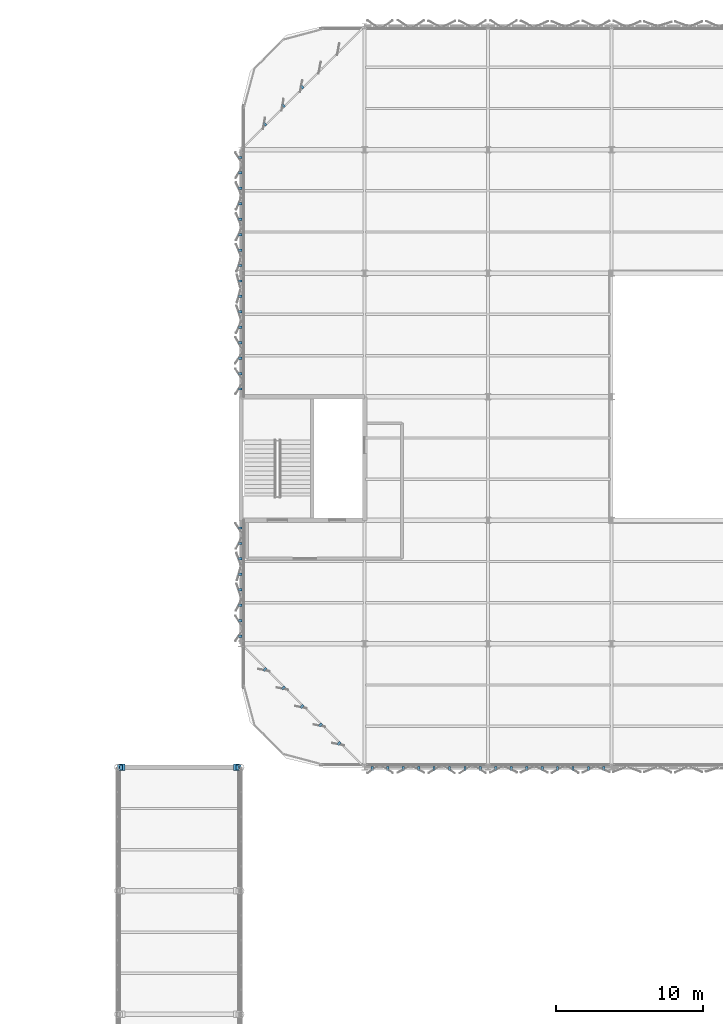
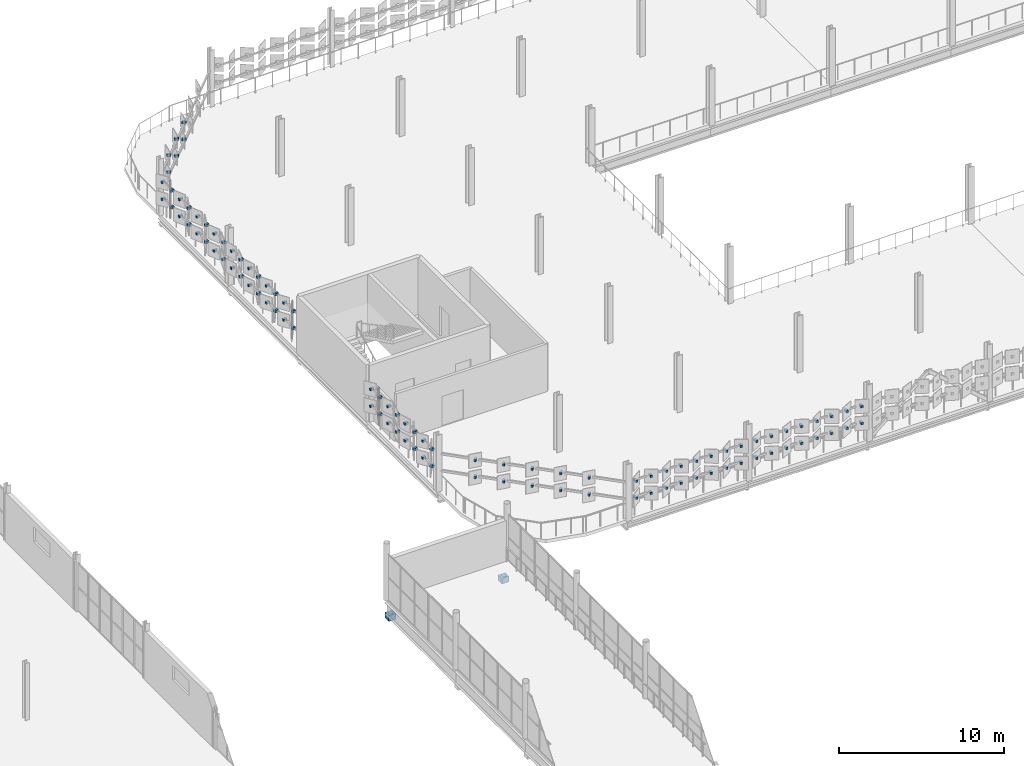
# One storey, part 146 of 163: 100 discrete accessories.
"""IFC4 building model written with IfcOpenShell, lengths in metres."""

import ifcopenshell
import ifcopenshell.guid

model = None  # the IFC model being written
_history = None  # IfcOwnerHistory: only IFC2X3 demands one
_inside = {}  # id of a spatial element -> (the spatial element, [elements in it])
_under = {}  # id of a project, library or spatial element -> (it, [spatial elements below it])
_declared = {}  # id of a project -> (the project, [libraries it declares])
_typed = {}  # id of a type object -> (the type object, [elements of that type])
_made_of = {}  # id of a material, layer set ... -> (it, [elements and type objects made of it])


def new_model(schema):
    """Start an empty IFC model of exactly this schema.

    Asked for "IFC4X3", IfcOpenShell would pick the latest addendum, in which some entities
    have other attributes; the version numbers below select the first issue.
    IFC2X3 requires an IfcOwnerHistory on every rooted entity: one is made here for all.
    """
    global model, _history
    if schema == "IFC4X3":
        model = ifcopenshell.file(schema_version=(4, 3, 0, 0))
    else:
        model = ifcopenshell.file(schema=schema)
    _inside.clear()
    _under.clear()
    _declared.clear()
    _typed.clear()
    _made_of.clear()
    _history = None
    if model.schema == "IFC2X3":
        org = make("IfcOrganization", Name="unknown")
        user = make(
            "IfcPersonAndOrganization",
            ThePerson=make("IfcPerson", FamilyName="unknown"),
            TheOrganization=org,
        )
        app = make(
            "IfcApplication",
            ApplicationDeveloper=org,
            Version="unknown",
            ApplicationFullName="unknown",
            ApplicationIdentifier="unknown",
        )
        _history = make(
            "IfcOwnerHistory",
            OwningUser=user,
            OwningApplication=app,
            ChangeAction="ADDED",
            CreationDate=0,
        )
    return model


def make(cls, **values):
    """One entity of the class cls with the attributes given. An attribute that is None is left unset."""
    return model.create_entity(
        cls, **{name: value for name, value in values.items() if value is not None}
    )


def rooted(cls, **values):
    """An entity with a GlobalId (a new one), such as an element, a storey or a relation."""
    return make(cls, GlobalId=ifcopenshell.guid.new(), OwnerHistory=_history, **values)


def si_unit(unit_type, name, prefix=None):
    """IfcSIUnit, for example si_unit("LENGTHUNIT", "METRE", prefix="MILLI")."""
    return make("IfcSIUnit", UnitType=unit_type, Prefix=prefix, Name=name)


def assignment(units):
    """IfcUnitAssignment: the units of a project."""
    return None if units is None else make("IfcUnitAssignment", Units=units)


def point(xyz):
    """IfcCartesianPoint."""
    return None if xyz is None else make("IfcCartesianPoint", Coordinates=xyz)


def direction(xyz):
    """IfcDirection."""
    return None if xyz is None else make("IfcDirection", DirectionRatios=xyz)


def frame(location, z_axis=None, x_axis=None):
    """IfcAxis2Placement3D, a coordinate frame: its origin and axes. An axis left out is left unset."""
    return make(
        "IfcAxis2Placement3D",
        Location=point(location),
        Axis=direction(z_axis),
        RefDirection=direction(x_axis),
    )


def frame_2d(location, x_axis=None):
    """IfcAxis2Placement2D, a coordinate frame in the plane: its origin and x axis."""
    return make(
        "IfcAxis2Placement2D", Location=point(location), RefDirection=direction(x_axis)
    )


def origin():
    """The frame at (0, 0, 0) with its axes left unset."""
    return frame((0.0, 0.0, 0.0))


def origin_2d():
    """The frame at (0, 0) in the plane with its x axis left unset."""
    return frame_2d((0.0, 0.0))


def place(relative_to, where):
    """IfcLocalPlacement: puts the frame where relative to a parent placement (None: the world)."""
    return make(
        "IfcLocalPlacement", PlacementRelTo=relative_to, RelativePlacement=where
    )


def context(
    kind, dimensions, precision=None, world=None, true_north=None, identifier=None
):
    """IfcGeometricRepresentationContext, for example the 3D "Model" context."""
    return make(
        "IfcGeometricRepresentationContext",
        ContextIdentifier=identifier,
        ContextType=kind,
        CoordinateSpaceDimension=dimensions,
        Precision=precision,
        WorldCoordinateSystem=world,
        TrueNorth=true_north,
    )


def subcontext(parent, identifier, kind, view, scale=None):
    """IfcGeometricRepresentationSubContext, for example "Body" below "Model"."""
    return make(
        "IfcGeometricRepresentationSubContext",
        ContextIdentifier=identifier,
        ContextType=kind,
        ParentContext=parent,
        TargetScale=scale,
        TargetView=view,
    )


def project(units=None, contexts=None):
    """IfcProject with its units and contexts."""
    return rooted(
        "IfcProject",
        Name="project",
        RepresentationContexts=contexts,
        UnitsInContext=assignment(units),
    )


def spatial(cls, under=None, at=None, **own):
    """A site, building, storey or space (cls), placed at a placement, below another one or the project."""
    s = rooted(cls, ObjectPlacement=at, **own)
    if under is not None:
        _under.setdefault(under.id(), (under, []))[1].append(s)
    return s


def profile(cls, at=None, kind="AREA", **sizes):
    """A parametric profile (cls). Its sizes go by their IFC names, for example OverallWidth=200.0."""
    return make(cls, ProfileType=kind, Position=at, **sizes)


def rectangle(**sizes):
    """IfcRectangleProfileDef."""
    return profile("IfcRectangleProfileDef", **sizes)


def extrude(swept, where, along, depth):
    """IfcExtrudedAreaSolid: the profile swept, set in the frame where, extruded along a direction by depth."""
    return make(
        "IfcExtrudedAreaSolid",
        SweptArea=swept,
        Position=where,
        ExtrudedDirection=direction(along),
        Depth=depth,
    )


def shape(context_of_items, identifier, shape_type, items):
    """IfcShapeRepresentation: the items that make up one representation, for example the "Body"."""
    return make(
        "IfcShapeRepresentation",
        ContextOfItems=context_of_items,
        RepresentationIdentifier=identifier,
        RepresentationType=shape_type,
        Items=items,
    )


def material(Name=None, Category=None):
    """IfcMaterial."""
    return make("IfcMaterial", Name=Name, Category=Category)


def made_of(thing, what):
    """Note that an element or type object is made of a material, layer set ...; save() writes the relation."""
    if what is not None:
        _made_of.setdefault(what.id(), (what, []))[1].append(thing)
    return thing


def type_object(cls, material=None, **own):
    """A type object (cls), such as IfcWallType, which elements share."""
    return made_of(rooted(cls, **own), material)


def element(
    cls,
    number,
    at=None,
    inside=None,
    cuts=None,
    type_object=None,
    material=None,
    context=None,
    identifier="Body",
    shape_type=None,
    held_by="IfcProductDefinitionShape",
    body=None,
    shapes=None,
    **own,
):
    """One element of the class cls, such as IfcWall. Its Tag is "e" and its number.

    at: its placement. inside: the storey or other place that contains it. cuts: it is an
    opening in that element (IfcRelVoidsElement). A single representation is given by context,
    identifier, shape_type and body (its items); several are given by shapes. held_by: the class
    of the entity that holds the representations. save() writes the other relations.
    """
    e = rooted(cls, Tag="e%d" % number, ObjectPlacement=at, **own)
    if body is not None:
        shapes = [shape(context, identifier, shape_type, body)]
    if shapes is not None:
        e.Representation = make(held_by, Representations=shapes)
    if inside is not None:
        _inside.setdefault(inside.id(), (inside, []))[1].append(e)
    if cuts is not None:
        rooted(
            "IfcRelVoidsElement", RelatingBuildingElement=cuts, RelatedOpeningElement=e
        )
    if type_object is not None:
        _typed.setdefault(type_object.id(), (type_object, []))[1].append(e)
    return made_of(e, material)


def aggregate(whole, parts):
    """IfcRelAggregates: a whole, such as a stair, and the parts it consists of."""
    return rooted("IfcRelAggregates", RelatingObject=whole, RelatedObjects=parts)


def save(model, path):
    """Write the relations noted so far, then the file.

    IfcRelAggregates (storeys below a building ...), IfcRelContainedInSpatialStructure (elements
    in a storey), IfcRelDefinesByType, IfcRelAssociatesMaterial and IfcRelDeclares: one each for
    every whole, place, type object, material and project.
    """
    for whole, parts in _under.values():
        aggregate(whole, parts)
    for where, things in _inside.values():
        rooted(
            "IfcRelContainedInSpatialStructure",
            RelatedElements=things,
            RelatingStructure=where,
        )
    for kind, things in _typed.values():
        rooted("IfcRelDefinesByType", RelatedObjects=things, RelatingType=kind)
    for what, things in _made_of.values():
        rooted("IfcRelAssociatesMaterial", RelatedObjects=things, RelatingMaterial=what)
    for by, libraries in _declared.values():
        rooted("IfcRelDeclares", RelatingContext=by, RelatedDefinitions=libraries)
    model.write(path)


model = new_model("IFC4")

# Units and contexts
model_context = context("Model", 3, precision=1e-05, world=origin(), true_north=direction((0.0, 1.0)))
body_context = subcontext(model_context, "Body", "Model", "MODEL_VIEW")
ifc_project = project(units=[si_unit("LENGTHUNIT", "METRE"), si_unit("AREAUNIT", "SQUARE_METRE"), si_unit("VOLUMEUNIT", "CUBIC_METRE"), si_unit("PLANEANGLEUNIT", "RADIAN"), si_unit("MASSUNIT", "GRAM", prefix="KILO")], contexts=[model_context])

# Site, building, storey
site_placement = place(None, origin())
site = spatial("IfcSite", under=ifc_project, at=site_placement, CompositionType="ELEMENT")
building_placement = place(site_placement, origin())
building = spatial("IfcBuilding", under=site, at=building_placement, Name="Qalvenar Corner Mobility Hub", CompositionType="ELEMENT")
storey_placement = place(building_placement, frame((0.0, 0.0, 4.800048828125)))
storey = spatial("IfcBuildingStorey", under=building, at=storey_placement, Name="L01", CompositionType="ELEMENT", Elevation=4.800048828125)

# Discrete accessories
ifc_material = material(Name="Steel S355", Category="steel")
discrete_accessory_type_1 = type_object("IfcDiscreteAccessoryType", Name="ACC-BRG-CORBEL", PredefinedType="SHOE", material=ifc_material)
for number, where, z_axis, x_axis, name in (
    (1, (50.64990234375, 67.199951171875, -1.530029296875), (0.0, 0.0, 1.0), (1.0, 0.0, 0.0), "Link Bridge 500mm Seated Corbel L01-W-67"),
    (2, (58.550048828125, 67.199951171875, -1.530029296875), (0.0, 0.0, 1.0), (1.0, 0.0, 0.0), "Link Bridge 500mm Seated Corbel L01-E-67"),
):
    element("IfcDiscreteAccessory", number, at=place(storey_placement, frame(where, z_axis=z_axis, x_axis=x_axis)), inside=storey, type_object=discrete_accessory_type_1, Name=name, PredefinedType="SHOE", context=body_context, shape_type="SweptSolid", body=[
        extrude(rectangle(XDim=0.5, YDim=0.449951171875, at=origin_2d()), origin(), (0.0, 0.0, 1.0), 0.419921875),
    ])
discrete_accessory_type_2 = type_object("IfcDiscreteAccessoryType", Name="ACC-BRG-PAD", PredefinedType="SHOE", material=ifc_material)
for number, where, z_axis, x_axis, name in (
    (3, (50.64990234375, 67.199951171875, -1.125), (0.0, 0.0, 1.0), (1.0, 0.0, 0.0), "Link Bridge 200mm Sliding Bearing L01-W-67"),
    (4, (58.550048828125, 67.199951171875, -1.125), (0.0, 0.0, 1.0), (1.0, 0.0, 0.0), "Link Bridge 200mm Sliding Bearing L01-E-67"),
):
    element("IfcDiscreteAccessory", number, at=place(storey_placement, frame(where, z_axis=z_axis, x_axis=x_axis)), inside=storey, type_object=discrete_accessory_type_2, Name=name, PredefinedType="SHOE", context=body_context, shape_type="SweptSolid", body=[
        extrude(rectangle(XDim=0.199951171875, YDim=0.35009765625, at=origin_2d()), origin(), (0.0, 0.0, 1.0), 0.06005859375),
    ])
discrete_accessory_type_3 = type_object("IfcDiscreteAccessoryType", Name="ACC-HINGE-BRK", PredefinedType="BRACKET", material=ifc_material)
for number, where, z_axis, x_axis, name in (
    (5, (67.72509765625, 67.1201171875, 1.419921875), (0.0, 0.0, 1.0), (1.0, 0.0, 0.0), "Panel Hinge Bracket BK-L01-0001"),
    (6, (67.72509765625, 67.1201171875, 2.669921875), (0.0, 0.0, 1.0), (1.0, 0.0, 0.0), "Panel Hinge Bracket BK-L01-0002"),
    (7, (68.77490234375, 67.1201171875, 1.419921875), (0.0, 0.0, 1.0), (1.0, 0.0, 0.0), "Panel Hinge Bracket BK-L01-0003"),
    (8, (68.77490234375, 67.1201171875, 2.669921875), (0.0, 0.0, 1.0), (1.0, 0.0, 0.0), "Panel Hinge Bracket BK-L01-0004"),
    (9, (69.824951171875, 67.1201171875, 1.419921875), (0.0, 0.0, 1.0), (1.0, 0.0, 0.0), "Panel Hinge Bracket BK-L01-0005"),
    (10, (69.824951171875, 67.1201171875, 2.669921875), (0.0, 0.0, 1.0), (1.0, 0.0, 0.0), "Panel Hinge Bracket BK-L01-0006"),
    (11, (70.875, 67.1201171875, 1.419921875), (0.0, 0.0, 1.0), (1.0, 0.0, 0.0), "Panel Hinge Bracket BK-L01-0007"),
    (12, (70.875, 67.1201171875, 2.669921875), (0.0, 0.0, 1.0), (1.0, 0.0, 0.0), "Panel Hinge Bracket BK-L01-0008"),
    (13, (71.925048828125, 67.1201171875, 1.419921875), (0.0, 0.0, 1.0), (1.0, 0.0, 0.0), "Panel Hinge Bracket BK-L01-0009"),
    (14, (71.925048828125, 67.1201171875, 2.669921875), (0.0, 0.0, 1.0), (1.0, 0.0, 0.0), "Panel Hinge Bracket BK-L01-0010"),
    (15, (72.97509765625, 67.1201171875, 1.419921875), (0.0, 0.0, 1.0), (1.0, 0.0, 0.0), "Panel Hinge Bracket BK-L01-0011"),
    (16, (72.97509765625, 67.1201171875, 2.669921875), (0.0, 0.0, 1.0), (1.0, 0.0, 0.0), "Panel Hinge Bracket BK-L01-0012"),
    (17, (74.02490234375, 67.1201171875, 1.419921875), (0.0, 0.0, 1.0), (1.0, 0.0, 0.0), "Panel Hinge Bracket BK-L01-0013"),
    (18, (74.02490234375, 67.1201171875, 2.669921875), (0.0, 0.0, 1.0), (1.0, 0.0, 0.0), "Panel Hinge Bracket BK-L01-0014"),
    (19, (75.074951171875, 67.1201171875, 1.419921875), (0.0, 0.0, 1.0), (1.0, 0.0, 0.0), "Panel Hinge Bracket BK-L01-0015"),
    (20, (75.074951171875, 67.1201171875, 2.669921875), (0.0, 0.0, 1.0), (1.0, 0.0, 0.0), "Panel Hinge Bracket BK-L01-0016"),
    (21, (76.125, 67.1201171875, 1.419921875), (0.0, 0.0, 1.0), (1.0, 0.0, 0.0), "Panel Hinge Bracket BK-L01-0017"),
    (22, (76.125, 67.1201171875, 2.669921875), (0.0, 0.0, 1.0), (1.0, 0.0, 0.0), "Panel Hinge Bracket BK-L01-0018"),
    (23, (77.175048828125, 67.1201171875, 1.419921875), (0.0, 0.0, 1.0), (1.0, 0.0, 0.0), "Panel Hinge Bracket BK-L01-0019"),
    (24, (77.175048828125, 67.1201171875, 2.669921875), (0.0, 0.0, 1.0), (1.0, 0.0, 0.0), "Panel Hinge Bracket BK-L01-0020"),
    (25, (78.22509765625, 67.1201171875, 1.419921875), (0.0, 0.0, 1.0), (1.0, 0.0, 0.0), "Panel Hinge Bracket BK-L01-0021"),
    (26, (78.22509765625, 67.1201171875, 2.669921875), (0.0, 0.0, 1.0), (1.0, 0.0, 0.0), "Panel Hinge Bracket BK-L01-0022"),
    (27, (79.27490234375, 67.1201171875, 1.419921875), (0.0, 0.0, 1.0), (1.0, 0.0, 0.0), "Panel Hinge Bracket BK-L01-0023"),
    (28, (79.27490234375, 67.1201171875, 2.669921875), (0.0, 0.0, 1.0), (1.0, 0.0, 0.0), "Panel Hinge Bracket BK-L01-0024"),
    (29, (80.324951171875, 67.1201171875, 1.419921875), (0.0, 0.0, 1.0), (1.0, 0.0, 0.0), "Panel Hinge Bracket BK-L01-0025"),
    (30, (80.324951171875, 67.1201171875, 2.669921875), (0.0, 0.0, 1.0), (1.0, 0.0, 0.0), "Panel Hinge Bracket BK-L01-0026"),
    (31, (81.375, 67.1201171875, 1.419921875), (0.0, 0.0, 1.0), (1.0, 0.0, 0.0), "Panel Hinge Bracket BK-L01-0027"),
    (32, (81.375, 67.1201171875, 2.669921875), (0.0, 0.0, 1.0), (1.0, 0.0, 0.0), "Panel Hinge Bracket BK-L01-0028"),
    (33, (82.425048828125, 67.1201171875, 1.419921875), (0.0, 0.0, 1.0), (1.0, 0.0, 0.0), "Panel Hinge Bracket BK-L01-0029"),
    (34, (82.425048828125, 67.1201171875, 2.669921875), (0.0, 0.0, 1.0), (1.0, 0.0, 0.0), "Panel Hinge Bracket BK-L01-0030"),
    (35, (83.47509765625, 67.1201171875, 1.419921875), (0.0, 0.0, 1.0), (1.0, 0.0, 0.0), "Panel Hinge Bracket BK-L01-0031"),
    (36, (83.47509765625, 67.1201171875, 2.669921875), (0.0, 0.0, 1.0), (1.0, 0.0, 0.0), "Panel Hinge Bracket BK-L01-0032"),
    (37, (58.719970703125, 83.47509765625, 1.419921875), (0.0, 0.0, 1.0), (0.0, -1.0, 0.0), "Panel Hinge Bracket BK-L01-0257"),
    (38, (58.719970703125, 83.47509765625, 2.669921875), (0.0, 0.0, 1.0), (0.0, -1.0, 0.0), "Panel Hinge Bracket BK-L01-0258"),
    (39, (58.719970703125, 82.425048828125, 1.419921875), (0.0, 0.0, 1.0), (0.0, -1.0, 0.0), "Panel Hinge Bracket BK-L01-0259"),
    (40, (58.719970703125, 82.425048828125, 2.669921875), (0.0, 0.0, 1.0), (0.0, -1.0, 0.0), "Panel Hinge Bracket BK-L01-0260"),
    (41, (58.719970703125, 81.375, 1.419921875), (0.0, 0.0, 1.0), (0.0, -1.0, 0.0), "Panel Hinge Bracket BK-L01-0261"),
    (42, (58.719970703125, 81.375, 2.669921875), (0.0, 0.0, 1.0), (0.0, -1.0, 0.0), "Panel Hinge Bracket BK-L01-0262"),
    (43, (58.719970703125, 80.324951171875, 1.419921875), (0.0, 0.0, 1.0), (0.0, -1.0, 0.0), "Panel Hinge Bracket BK-L01-0263"),
    (44, (58.719970703125, 80.324951171875, 2.669921875), (0.0, 0.0, 1.0), (0.0, -1.0, 0.0), "Panel Hinge Bracket BK-L01-0264"),
    (45, (58.719970703125, 79.27490234375, 1.419921875), (0.0, 0.0, 1.0), (0.0, -1.0, 0.0), "Panel Hinge Bracket BK-L01-0265"),
    (46, (58.719970703125, 79.27490234375, 2.669921875), (0.0, 0.0, 1.0), (0.0, -1.0, 0.0), "Panel Hinge Bracket BK-L01-0266"),
    (47, (58.719970703125, 78.22509765625, 1.419921875), (0.0, 0.0, 1.0), (0.0, -1.0, 0.0), "Panel Hinge Bracket BK-L01-0267"),
    (48, (58.719970703125, 78.22509765625, 2.669921875), (0.0, 0.0, 1.0), (0.0, -1.0, 0.0), "Panel Hinge Bracket BK-L01-0268"),
    (49, (58.719970703125, 77.175048828125, 1.419921875), (0.0, 0.0, 1.0), (0.0, -1.0, 0.0), "Panel Hinge Bracket BK-L01-0269"),
    (50, (58.719970703125, 77.175048828125, 2.669921875), (0.0, 0.0, 1.0), (0.0, -1.0, 0.0), "Panel Hinge Bracket BK-L01-0270"),
    (51, (58.719970703125, 76.125, 1.419921875), (0.0, 0.0, 1.0), (0.0, -1.0, 0.0), "Panel Hinge Bracket BK-L01-0271"),
    (52, (58.719970703125, 76.125, 2.669921875), (0.0, 0.0, 1.0), (0.0, -1.0, 0.0), "Panel Hinge Bracket BK-L01-0272"),
    (53, (58.719970703125, 108.675048828125, 1.419921875), (0.0, 0.0, 1.0), (0.0, -1.0, 0.0), "Panel Hinge Bracket BK-L01-0273"),
    (54, (58.719970703125, 108.675048828125, 2.669921875), (0.0, 0.0, 1.0), (0.0, -1.0, 0.0), "Panel Hinge Bracket BK-L01-0274"),
    (55, (58.719970703125, 107.625, 1.419921875), (0.0, 0.0, 1.0), (0.0, -1.0, 0.0), "Panel Hinge Bracket BK-L01-0275"),
    (56, (58.719970703125, 107.625, 2.669921875), (0.0, 0.0, 1.0), (0.0, -1.0, 0.0), "Panel Hinge Bracket BK-L01-0276"),
    (57, (58.719970703125, 106.574951171875, 1.419921875), (0.0, 0.0, 1.0), (0.0, -1.0, 0.0), "Panel Hinge Bracket BK-L01-0277"),
    (58, (58.719970703125, 106.574951171875, 2.669921875), (0.0, 0.0, 1.0), (0.0, -1.0, 0.0), "Panel Hinge Bracket BK-L01-0278"),
    (59, (58.719970703125, 105.52490234375, 1.419921875), (0.0, 0.0, 1.0), (0.0, -1.0, 0.0), "Panel Hinge Bracket BK-L01-0279"),
    (60, (58.719970703125, 105.52490234375, 2.669921875), (0.0, 0.0, 1.0), (0.0, -1.0, 0.0), "Panel Hinge Bracket BK-L01-0280"),
    (61, (58.719970703125, 104.47509765625, 1.419921875), (0.0, 0.0, 1.0), (0.0, -1.0, 0.0), "Panel Hinge Bracket BK-L01-0281"),
    (62, (58.719970703125, 104.47509765625, 2.669921875), (0.0, 0.0, 1.0), (0.0, -1.0, 0.0), "Panel Hinge Bracket BK-L01-0282"),
    (63, (58.719970703125, 103.425048828125, 1.419921875), (0.0, 0.0, 1.0), (0.0, -1.0, 0.0), "Panel Hinge Bracket BK-L01-0283"),
    (64, (58.719970703125, 103.425048828125, 2.669921875), (0.0, 0.0, 1.0), (0.0, -1.0, 0.0), "Panel Hinge Bracket BK-L01-0284"),
    (65, (58.719970703125, 102.375, 1.419921875), (0.0, 0.0, 1.0), (0.0, -1.0, 0.0), "Panel Hinge Bracket BK-L01-0285"),
    (66, (58.719970703125, 102.375, 2.669921875), (0.0, 0.0, 1.0), (0.0, -1.0, 0.0), "Panel Hinge Bracket BK-L01-0286"),
    (67, (58.719970703125, 101.324951171875, 1.419921875), (0.0, 0.0, 1.0), (0.0, -1.0, 0.0), "Panel Hinge Bracket BK-L01-0287"),
    (68, (58.719970703125, 101.324951171875, 2.669921875), (0.0, 0.0, 1.0), (0.0, -1.0, 0.0), "Panel Hinge Bracket BK-L01-0288"),
    (69, (58.719970703125, 100.27490234375, 1.419921875), (0.0, 0.0, 1.0), (0.0, -1.0, 0.0), "Panel Hinge Bracket BK-L01-0289"),
    (70, (58.719970703125, 100.27490234375, 2.669921875), (0.0, 0.0, 1.0), (0.0, -1.0, 0.0), "Panel Hinge Bracket BK-L01-0290"),
    (71, (58.719970703125, 99.22509765625, 1.419921875), (0.0, 0.0, 1.0), (0.0, -1.0, 0.0), "Panel Hinge Bracket BK-L01-0291"),
    (72, (58.719970703125, 99.22509765625, 2.669921875), (0.0, 0.0, 1.0), (0.0, -1.0, 0.0), "Panel Hinge Bracket BK-L01-0292"),
    (73, (58.719970703125, 98.175048828125, 1.419921875), (0.0, 0.0, 1.0), (0.0, -1.0, 0.0), "Panel Hinge Bracket BK-L01-0293"),
    (74, (58.719970703125, 98.175048828125, 2.669921875), (0.0, 0.0, 1.0), (0.0, -1.0, 0.0), "Panel Hinge Bracket BK-L01-0294"),
    (75, (58.719970703125, 97.125, 1.419921875), (0.0, 0.0, 1.0), (0.0, -1.0, 0.0), "Panel Hinge Bracket BK-L01-0295"),
    (76, (58.719970703125, 97.125, 2.669921875), (0.0, 0.0, 1.0), (0.0, -1.0, 0.0), "Panel Hinge Bracket BK-L01-0296"),
    (77, (58.719970703125, 96.074951171875, 1.419921875), (0.0, 0.0, 1.0), (0.0, -1.0, 0.0), "Panel Hinge Bracket BK-L01-0297"),
    (78, (58.719970703125, 96.074951171875, 2.669921875), (0.0, 0.0, 1.0), (0.0, -1.0, 0.0), "Panel Hinge Bracket BK-L01-0298"),
    (79, (58.719970703125, 95.02490234375, 1.419921875), (0.0, 0.0, 1.0), (0.0, -1.0, 0.0), "Panel Hinge Bracket BK-L01-0299"),
    (80, (58.719970703125, 95.02490234375, 2.669921875), (0.0, 0.0, 1.0), (0.0, -1.0, 0.0), "Panel Hinge Bracket BK-L01-0300"),
    (81, (58.719970703125, 93.97509765625, 1.419921875), (0.0, 0.0, 1.0), (0.0, -1.0, 0.0), "Panel Hinge Bracket BK-L01-0301"),
    (82, (58.719970703125, 93.97509765625, 2.669921875), (0.0, 0.0, 1.0), (0.0, -1.0, 0.0), "Panel Hinge Bracket BK-L01-0302"),
    (83, (58.719970703125, 92.925048828125, 1.419921875), (0.0, 0.0, 1.0), (0.0, -1.0, 0.0), "Panel Hinge Bracket BK-L01-0303"),
    (84, (58.719970703125, 92.925048828125, 2.669921875), (0.0, 0.0, 1.0), (0.0, -1.0, 0.0), "Panel Hinge Bracket BK-L01-0304"),
    (85, (60.42333984375, 73.86328125, 1.419921875), (0.0, 0.0, 1.0), (0.707106781187, -0.707106781187, 0.0), "Corner Hinge Bracket BKC-L01-0321"),
    (86, (61.683349609375, 72.603515625, 1.419921875), (0.0, 0.0, 1.0), (0.707106781187, -0.707106781187, 0.0), "Corner Hinge Bracket BKC-L01-0322"),
    (87, (62.943359375, 71.343505859375, 1.419921875), (0.0, 0.0, 1.0), (0.707106781187, -0.707106781187, 0.0), "Corner Hinge Bracket BKC-L01-0323"),
    (88, (64.203369140625, 70.08349609375, 1.419921875), (0.0, 0.0, 1.0), (0.707106781187, -0.707106781187, 0.0), "Corner Hinge Bracket BKC-L01-0324"),
    (89, (65.46337890625, 68.823486328125, 1.419921875), (0.0, 0.0, 1.0), (0.707106781187, -0.707106781187, 0.0), "Corner Hinge Bracket BKC-L01-0325"),
    (90, (60.42333984375, 73.86328125, 2.669921875), (0.0, 0.0, 1.0), (0.707106781187, -0.707106781187, 0.0), "Corner Hinge Bracket BKC-L01-0326"),
    (91, (61.683349609375, 72.603515625, 2.669921875), (0.0, 0.0, 1.0), (0.707106781187, -0.707106781187, 0.0), "Corner Hinge Bracket BKC-L01-0327"),
    (92, (62.943359375, 71.343505859375, 2.669921875), (0.0, 0.0, 1.0), (0.707106781187, -0.707106781187, 0.0), "Corner Hinge Bracket BKC-L01-0328"),
    (93, (64.203369140625, 70.08349609375, 2.669921875), (0.0, 0.0, 1.0), (0.707106781187, -0.707106781187, 0.0), "Corner Hinge Bracket BKC-L01-0329"),
    (94, (65.46337890625, 68.823486328125, 2.669921875), (0.0, 0.0, 1.0), (0.707106781187, -0.707106781187, 0.0), "Corner Hinge Bracket BKC-L01-0330"),
    (95, (62.943359375, 113.45654296875, 1.419921875), (0.0, 0.0, 1.0), (-0.707106781187, -0.707106781187, 0.0), "Corner Hinge Bracket BKC-L01-0353"),
    (96, (61.683349609375, 112.196533203125, 1.419921875), (0.0, 0.0, 1.0), (-0.707106781187, -0.707106781187, 0.0), "Corner Hinge Bracket BKC-L01-0354"),
    (97, (60.42333984375, 110.9365234375, 1.419921875), (0.0, 0.0, 1.0), (-0.707106781187, -0.707106781187, 0.0), "Corner Hinge Bracket BKC-L01-0355"),
    (98, (62.943359375, 113.45654296875, 2.669921875), (0.0, 0.0, 1.0), (-0.707106781187, -0.707106781187, 0.0), "Corner Hinge Bracket BKC-L01-0358"),
    (99, (61.683349609375, 112.196533203125, 2.669921875), (0.0, 0.0, 1.0), (-0.707106781187, -0.707106781187, 0.0), "Corner Hinge Bracket BKC-L01-0359"),
    (100, (60.42333984375, 110.9365234375, 2.669921875), (0.0, 0.0, 1.0), (-0.707106781187, -0.707106781187, 0.0), "Corner Hinge Bracket BKC-L01-0360"),
):
    element("IfcDiscreteAccessory", number, at=place(storey_placement, frame(where, z_axis=z_axis, x_axis=x_axis)), inside=storey, type_object=discrete_accessory_type_3, Name=name, PredefinedType="BRACKET", context=body_context, shape_type="SweptSolid", body=[
        extrude(rectangle(XDim=0.159912109375, YDim=0.260009765625, at=origin_2d()), origin(), (0.0, 0.0, 1.0), 0.159912109375),
    ])

save(model, "model.ifc")
